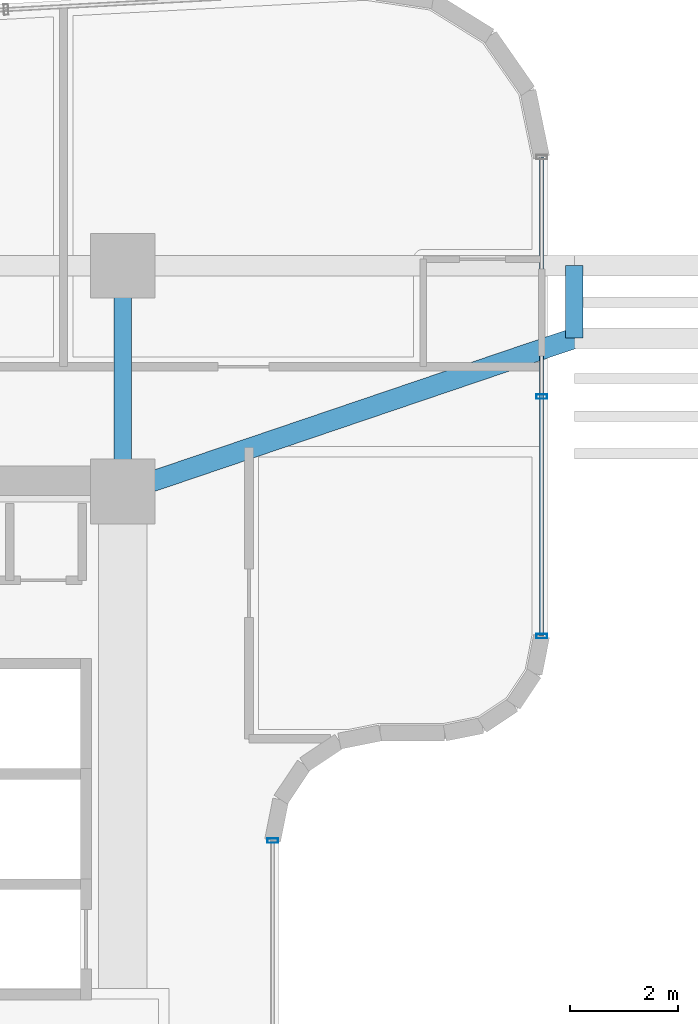
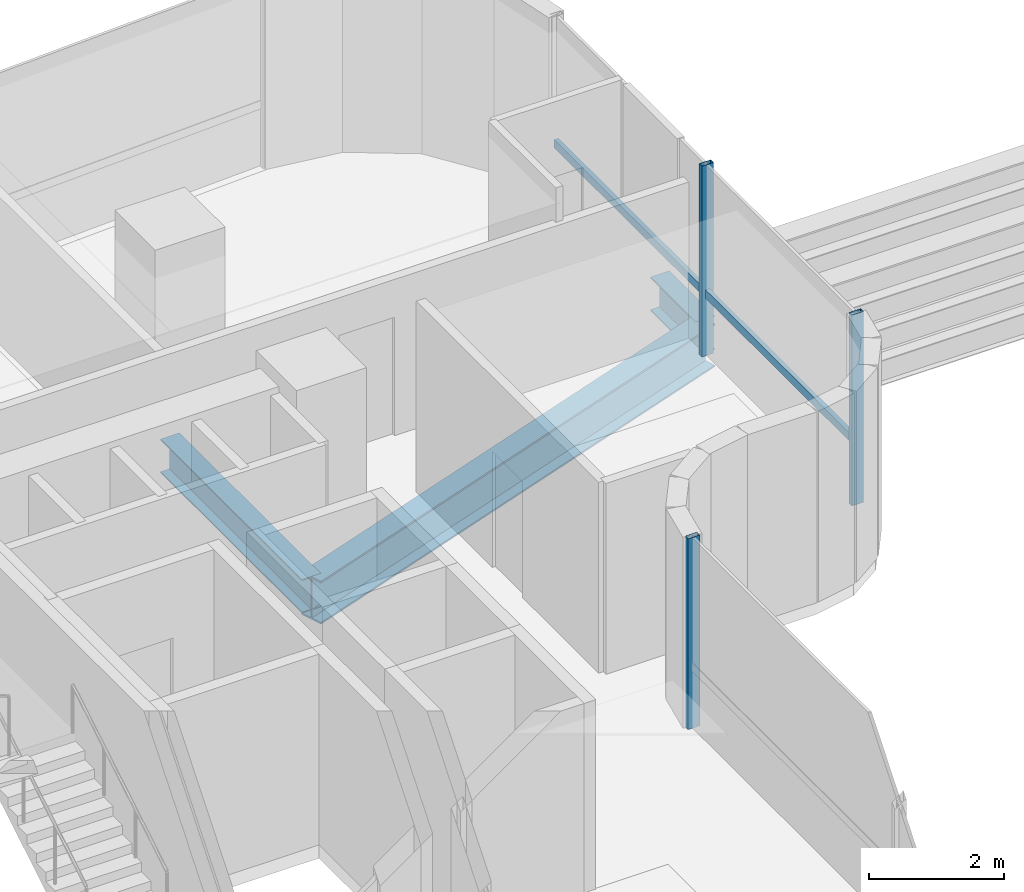
# One storey, part 11 of 36: 4 members, 3 beams, 2 elements without a shape of their own.
"""IFC4 building model written with IfcOpenShell, lengths in metres."""

from ifc_helpers import new_model, si_unit, direction, frame, origin, origin_2d, place, context, subcontext, project, spatial, hollow_rectangle, i_section, extrude, source, transform, mapped, material, material_profile, profile_set, type_object, element, aggregate, save


model = new_model("IFC4")

# Units and contexts
model_context = context("Model", 3, precision=1e-05, world=origin(), true_north=direction((0.0, 1.0)))
body_context = subcontext(model_context, "Body", "Model", "MODEL_VIEW")
ifc_project = project(units=[si_unit("LENGTHUNIT", "METRE"), si_unit("AREAUNIT", "SQUARE_METRE"), si_unit("VOLUMEUNIT", "CUBIC_METRE"), si_unit("PLANEANGLEUNIT", "RADIAN"), si_unit("MASSUNIT", "GRAM", prefix="KILO")], contexts=[model_context])

# Site, building, storey
site_placement = place(None, origin())
site = spatial("IfcSite", under=ifc_project, at=site_placement, CompositionType="ELEMENT")
building_placement = place(site_placement, origin())
building = spatial("IfcBuilding", under=site, at=building_placement, Name="Valdorenza Pilgrim Sanctuary Tower", CompositionType="ELEMENT")
storey_placement = place(building_placement, frame((0.0, 0.0, 153.800048828125)))
storey = spatial("IfcBuildingStorey", under=building, at=storey_placement, Name="L39", CompositionType="ELEMENT", Elevation=153.800048828125)

# Beams
ifc_material_1 = material(Name="Steel ASTM A992 Grade 50", Category="steel")
ifc_material_profile_1 = material_profile(ifc_material_1, i_section(OverallWidth=0.323974609375, OverallDepth=0.611083984375, WebThickness=0.0126953125, FlangeThickness=0.01904296875, at=origin_2d()), Name="W24X104")
ifc_profile_set_1 = profile_set([ifc_material_profile_1], Name="Steel ASTM A992 Grade 50")
beam_type_1 = type_object("IfcBeamType", Name="STR-BM-GRD-W24B", PredefinedType="BEAM", material=ifc_profile_set_1)
shared_shape_1 = source(origin(), body_context, "Body", "SweptSolid", [
    extrude(i_section(OverallWidth=0.323974609375, OverallDepth=0.611083984375, WebThickness=0.0126953125, FlangeThickness=0.01904296875, at=origin_2d()), origin(), (0.0, 0.0, 1.0), 4.199951171875),
])
beam_1_placement = place(storey_placement, frame((-12.39990234375, 10.60009765625, -0.545654296875), z_axis=(0.0, 1.0, 0.0), x_axis=(-1.0, 0.0, 0.0)))
element("IfcBeam", 1, at=beam_1_placement, inside=storey, type_object=beam_type_1, Name="L39 Core Tie Girder CA-E-N1N2", PredefinedType="BEAM", context=body_context, shape_type="MappedRepresentation", body=[
    mapped(shared_shape_1, transform((0.0, 0.0, 0.0), x_axis=(1.0, 0.0, 0.0), y_axis=(0.0, 1.0, 0.0), z_axis=(0.0, 0.0, 1.0), scale=1.0)),
])
shared_shape_2 = source(origin(), body_context, "Body", "SweptSolid", [
    extrude(i_section(OverallWidth=0.323974609375, OverallDepth=0.611083984375, WebThickness=0.0126953125, FlangeThickness=0.01904296875, at=origin_2d()), origin(), (0.0, 0.0, 1.0), 1.35009765625),
])
beam_2_placement = place(storey_placement, frame((-4.0, 13.449951171875, -0.545654296875), z_axis=(0.0, 1.0, 0.0), x_axis=(-1.0, 0.0, 0.0)))
element("IfcBeam", 2, at=beam_2_placement, inside=storey, type_object=beam_type_1, Name="L39 Floor Girder KNK-TIE-W", PredefinedType="BEAM", context=body_context, shape_type="MappedRepresentation", body=[
    mapped(shared_shape_2, transform((0.0, 0.0, 0.0), x_axis=(1.0, 0.0, 0.0), y_axis=(0.0, 1.0, 0.0), z_axis=(0.0, 0.0, 1.0), scale=1.0)),
])
ifc_material_profile_2 = material_profile(ifc_material_1, i_section(OverallWidth=0.382080078125, OverallDepth=0.779052734375, WebThickness=0.01806640625, FlangeThickness=0.030029296875, at=origin_2d()), Name="W30X191")
ifc_profile_set_2 = profile_set([ifc_material_profile_2], Name="Steel ASTM A992 Grade 50")
beam_type_2 = type_object("IfcBeamType", Name="STR-BM-GRD-W30", PredefinedType="BEAM", material=ifc_profile_set_2)
shared_shape_3 = source(origin(), body_context, "Body", "SweptSolid", [
    extrude(i_section(OverallWidth=0.382080078125, OverallDepth=0.779052734375, WebThickness=0.01806640625, FlangeThickness=0.030029296875, at=origin_2d()), origin(), (0.0, 0.0, 1.0), 8.8701171875),
])
beam_3_placement = place(storey_placement, frame((-12.39990234375, 10.60009765625, -0.629638671875), z_axis=(0.946982588361, 0.321284885018, 0.0), x_axis=(-0.321284885018, 0.946982588361, 0.0)))
element("IfcBeam", 3, at=beam_3_placement, inside=storey, type_object=beam_type_2, Name="L39 Floor Girder KNK-G1", PredefinedType="BEAM", context=body_context, shape_type="MappedRepresentation", body=[
    mapped(shared_shape_3, transform((0.0, 0.0, 0.0), x_axis=(1.0, 0.0, 0.0), y_axis=(0.0, 1.0, 0.0), z_axis=(0.0, 0.0, 1.0), scale=1.0)),
])

# Curtain wall, members
ifc_material_2 = material(Name="Curtain-wall IGU glazing", Category="glass")
curtain_wall_type = type_object("IfcCurtainWallType", Name="CW-SYS-02", PredefinedType="NOTDEFINED", material=ifc_material_2)
curtain_wall_1_placement = place(storey_placement, origin())
curtain_wall_1 = element("IfcCurtainWall", 4, at=curtain_wall_1_placement, inside=storey, type_object=curtain_wall_type, Name="L39 Curtain Wall CW-L39-1-11", PredefinedType="NOTDEFINED")
ifc_material_3 = material(Name="Anodised aluminium AW-6060", Category="aluminium")
ifc_material_profile_3 = material_profile(ifc_material_3, hollow_rectangle(XDim=0.0849609375, YDim=0.199951171875, WallThickness=0.0048828125, at=origin_2d()), Name="ALU-M 200x85x5")
ifc_profile_set_3 = profile_set([ifc_material_profile_3], Name="Anodised aluminium AW-6060")
member_type_1 = type_object("IfcMemberType", Name="CW-MUL-02", PredefinedType="MULLION", material=ifc_profile_set_3)
shared_shape_4 = source(origin(), body_context, "Body", "SweptSolid", [
    extrude(hollow_rectangle(XDim=0.0849609375, YDim=0.199951171875, WallThickness=0.0048828125, at=origin_2d()), origin(), (0.0, 0.0, 1.0), 3.4599609375),
])
member_1_placement = place(storey_placement, frame((-4.610107421875, 12.363037109375, 0.0), z_axis=(0.0, 0.0, 1.0), x_axis=(0.0, -1.0, 0.0)))
member_1 = element("IfcMember", 5, at=member_1_placement, type_object=member_type_1, Name="CW-L39-1-11 Mullion 2", PredefinedType="MULLION", context=body_context, shape_type="MappedRepresentation", body=[
    mapped(shared_shape_4, transform((0.0, 0.0, 0.0), x_axis=(1.0, 0.0, 0.0), y_axis=(0.0, 1.0, 0.0), z_axis=(0.0, 0.0, 1.0), scale=1.0)),
])
member_2_placement = place(storey_placement, frame((-4.610107421875, 7.910888671875, 0.0), z_axis=(0.0, 0.0, 1.0), x_axis=(0.0, -1.0, 0.0)))
member_2 = element("IfcMember", 6, at=member_2_placement, type_object=member_type_1, Name="CW-L39-1-11 Mullion 3", PredefinedType="MULLION", context=body_context, shape_type="MappedRepresentation", body=[
    mapped(shared_shape_4, transform((0.0, 0.0, 0.0), x_axis=(1.0, 0.0, 0.0), y_axis=(0.0, 1.0, 0.0), z_axis=(0.0, 0.0, 1.0), scale=1.0)),
])

# Curtain wall, member
curtain_wall_2_placement = place(storey_placement, origin())
curtain_wall_2 = element("IfcCurtainWall", 7, at=curtain_wall_2_placement, inside=storey, type_object=curtain_wall_type, Name="L39 Curtain Wall CW-L39-1-21", PredefinedType="NOTDEFINED")
member_3_placement = place(storey_placement, frame((-9.610107421875, 4.11083984375, 0.0), z_axis=(0.0, 0.0, 1.0), x_axis=(0.0, -1.0, 0.0)))
member_3 = element("IfcMember", 8, at=member_3_placement, type_object=member_type_1, Name="CW-L39-1-21 Mullion 1", PredefinedType="MULLION", context=body_context, shape_type="MappedRepresentation", body=[
    mapped(shared_shape_4, transform((0.0, 0.0, 0.0), x_axis=(1.0, 0.0, 0.0), y_axis=(0.0, 1.0, 0.0), z_axis=(0.0, 0.0, 1.0), scale=1.0)),
])
aggregate(curtain_wall_2, [member_3])

# Member
ifc_material_profile_4 = material_profile(ifc_material_3, hollow_rectangle(XDim=0.074951171875, YDim=0.14990234375, WallThickness=0.00390625, at=origin_2d()), Name="ALU-T 150x75x4")
ifc_profile_set_4 = profile_set([ifc_material_profile_4], Name="Anodised aluminium AW-6060")
member_type_2 = type_object("IfcMemberType", Name="CW-TRN-02", PredefinedType="USERDEFINED", material=ifc_profile_set_4)
shared_shape_5 = source(origin(), body_context, "Body", "SweptSolid", [
    extrude(hollow_rectangle(XDim=0.074951171875, YDim=0.14990234375, WallThickness=0.00390625, at=origin_2d()), origin(), (0.0, 0.0, 1.0), 8.904296875),
])
member_4_placement = place(storey_placement, frame((-4.610107421875, 16.815185546875, 1.119873046875), z_axis=(0.0, -1.0, 0.0), x_axis=(1.0, 0.0, 0.0)))
member_4 = element("IfcMember", 9, at=member_4_placement, type_object=member_type_2, Name="CW-L39-1-11 Transom 1", ObjectType="TRANSOM", PredefinedType="USERDEFINED", context=body_context, shape_type="MappedRepresentation", body=[
    mapped(shared_shape_5, transform((0.0, 0.0, 0.0), x_axis=(1.0, 0.0, 0.0), y_axis=(0.0, 1.0, 0.0), z_axis=(0.0, 0.0, 1.0), scale=1.0)),
])

aggregate(curtain_wall_1, [member_1, member_2, member_4])

save(model, "model.ifc")
